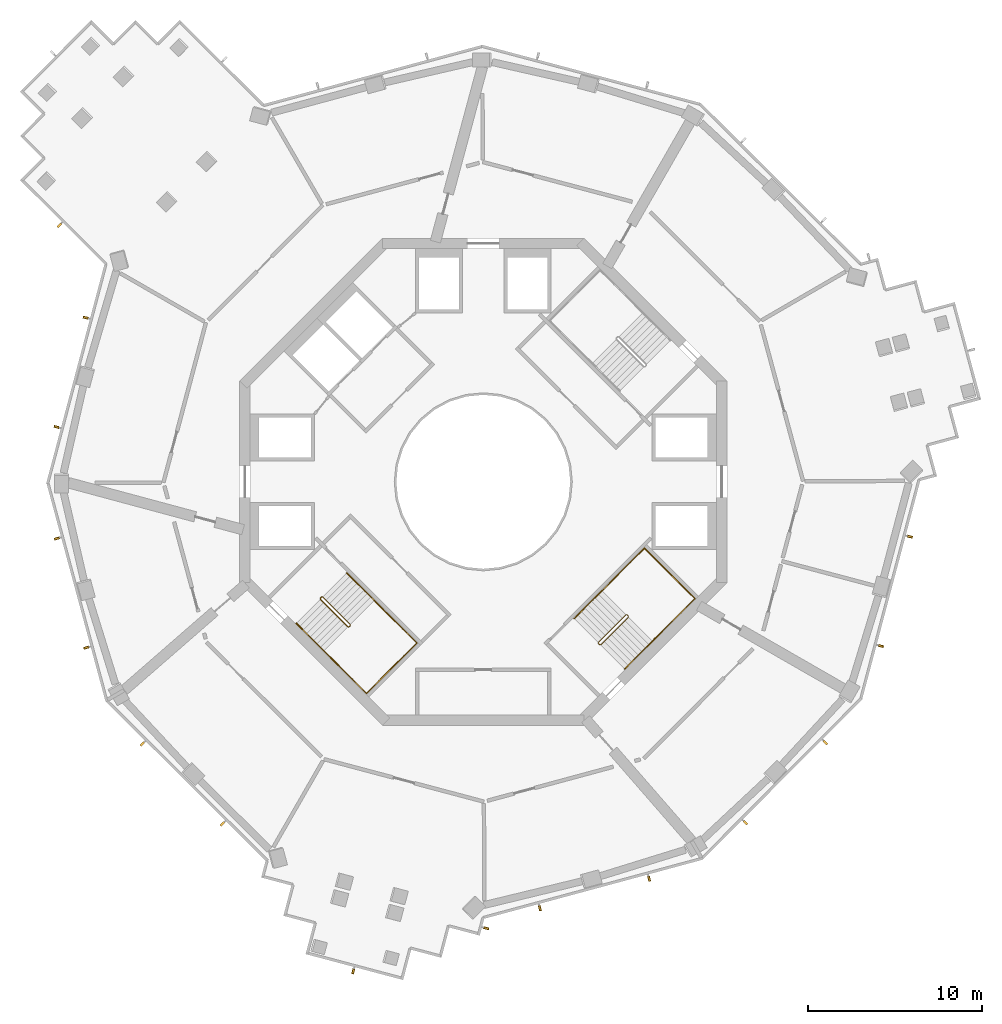
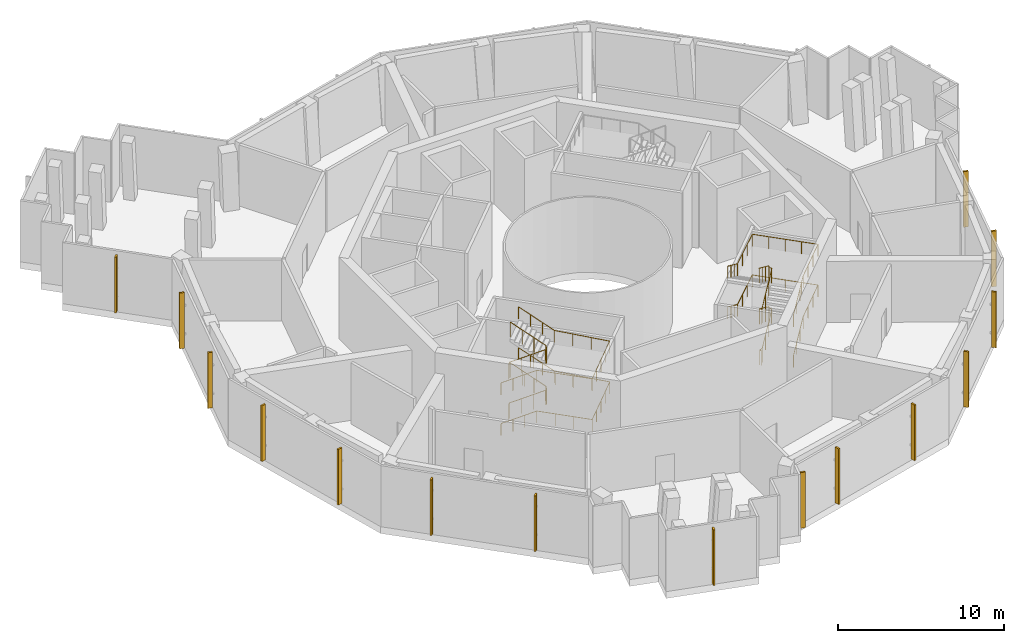
# One storey, part 15 of 16: 15 shading devices, 6 railings.
"""IFC4 building model written with IfcOpenShell, lengths in metres."""

from ifc_helpers import new_model, si_unit, direction, frame, origin, origin_2d, place, context, subcontext, project, spatial, rectangle, circle, extrude, material, material_profile, profile_set, type_object, element, save


model = new_model("IFC4")

# Units and contexts
model_context = context("Model", 3, precision=1e-05, world=origin(), true_north=direction((0.0, 1.0)))
body_context = subcontext(model_context, "Body", "Model", "MODEL_VIEW")
ifc_project = project(units=[si_unit("LENGTHUNIT", "METRE"), si_unit("AREAUNIT", "SQUARE_METRE"), si_unit("VOLUMEUNIT", "CUBIC_METRE"), si_unit("PLANEANGLEUNIT", "RADIAN"), si_unit("MASSUNIT", "GRAM", prefix="KILO")], contexts=[model_context])

# Site, building, storey
site_placement = place(None, origin())
site = spatial("IfcSite", under=ifc_project, at=site_placement, CompositionType="ELEMENT")
building_placement = place(site_placement, origin())
building = spatial("IfcBuilding", under=site, at=building_placement, Name="Verdalira Terraces Hotel", CompositionType="ELEMENT")
storey_placement = place(building_placement, frame((0.0, 0.0, 216.0)))
storey = spatial("IfcBuildingStorey", under=building, at=storey_placement, Name="L53", CompositionType="ELEMENT", Elevation=216.0)

# Railings
ifc_material_1 = material(Name="Stainless steel", Category="steel")
railing_type_1 = type_object("IfcRailingType", Name="Stair guard 1100", PredefinedType="GUARDRAIL", material=ifc_material_1)
railing_1_placement = place(storey_placement, frame((-9.369141, -6.682129, 0.0)))
element("IfcRailing", 1, at=railing_1_placement, inside=storey, type_object=railing_type_1, Name="L53 ST2 stair guard 1", PredefinedType="GUARDRAIL", context=body_context, shape_type="SweptSolid", body=[
    extrude(circle(Radius=0.023926, at=origin_2d()), frame((0.0, 0.0, 1.076172), z_axis=(0.707106781, 0.707106781, 0.0), x_axis=(-0.707106781, 0.707106781, 0.0)), (0.0, 0.0, 1.0), 0.100098),
    extrude(circle(Radius=0.023926, at=origin_2d()), frame((0.070801, 0.070801, 1.076172), z_axis=(-0.307920697, -0.615841394, 0.725206331), x_axis=(0.894427191, -0.447213596, 0.0)), (0.0, 0.0, 1.0), 0.22998),
    extrude(circle(Radius=0.023926, at=origin_2d()), frame((0.0, -0.070801, 1.242676), z_axis=(0.607662647, -0.607568988, 0.511474371), x_axis=(0.707052281, 0.707161277, 0.0)), (0.0, 0.0, 1.0), 2.606689),
    extrude(circle(Radius=0.023926, at=origin_2d()), frame((1.583984, -1.654541, 2.576172), z_axis=(1.0, 0.0, 0.0), x_axis=(0.0, 1.0, 0.0)), (0.0, 0.0, 1.0), 0.070557),
    extrude(circle(Radius=0.023926, at=origin_2d()), frame((1.654541, -1.654541, 2.576172), z_axis=(0.70832698, 0.705884473, 0.0), x_axis=(-0.705884473, 0.70832698, 0.0)), (0.0, 0.0, 1.0), 0.099854),
    extrude(circle(Radius=0.023926, at=origin_2d()), frame((1.725342, -1.583984, 2.576172), z_axis=(0.0, 0.390826706, 0.920464277), x_axis=(-1.0, 0.0, 0.0)), (0.0, 0.0, 1.0), 0.181152),
    extrude(circle(Radius=0.023926, at=origin_2d()), frame((1.725342, -1.513184, 2.742676), z_axis=(-0.607628069, 0.607628069, 0.511445266), x_axis=(-0.707106781, -0.707106781, 0.0)), (0.0, 0.0, 1.0), 2.606934),
    extrude(circle(Radius=0.023926, at=origin_2d()), frame((0.141357, 0.070801, 4.076172), z_axis=(-1.0, 0.0, 0.0), x_axis=(0.0, -1.0, 0.0)), (0.0, 0.0, 1.0), 0.070557),
    extrude(circle(Radius=0.023926, at=origin_2d()), frame((0.070801, 0.070801, 4.076172), z_axis=(-0.707106781, -0.707106781, 0.0), x_axis=(0.707106781, -0.707106781, 0.0)), (0.0, 0.0, 1.0), 0.100098),
    extrude(circle(Radius=0.023926, at=origin_2d()), frame((0.0, 0.0, 4.076172), z_axis=(0.0, -0.390826706, 0.920464277), x_axis=(1.0, 0.0, 0.0)), (0.0, 0.0, 1.0), 0.181152),
    extrude(circle(Radius=0.023926, at=origin_2d()), frame((0.0, -0.070801, 4.242676), z_axis=(0.607662647, -0.607568988, 0.511474371), x_axis=(0.707052281, 0.707161277, 0.0)), (0.0, 0.0, 1.0), 2.606689),
    extrude(circle(Radius=0.023926, at=origin_2d()), frame((1.583984, -1.654541, 5.576172), z_axis=(1.0, 0.0, 0.0), x_axis=(0.0, 1.0, 0.0)), (0.0, 0.0, 1.0), 0.070557),
    extrude(circle(Radius=0.023926, at=origin_2d()), frame((1.654541, -1.654541, 5.576172), z_axis=(0.70832698, 0.705884473, 0.0), x_axis=(-0.705884473, 0.70832698, 0.0)), (0.0, 0.0, 1.0), 0.099854),
    extrude(circle(Radius=0.023926, at=origin_2d()), frame((1.725342, -1.583984, 5.576172), z_axis=(0.0, 0.390826706, 0.920464277), x_axis=(-1.0, 0.0, 0.0)), (0.0, 0.0, 1.0), 0.181152),
    extrude(circle(Radius=0.023926, at=origin_2d()), frame((1.725342, -1.513184, 5.742676), z_axis=(-0.607628069, 0.607628069, 0.511445266), x_axis=(-0.707106781, -0.707106781, 0.0)), (0.0, 0.0, 1.0), 2.606934),
    extrude(circle(Radius=0.020996, at=origin_2d()), origin(), (0.0, 0.0, 1.0), 1.052002),
    extrude(circle(Radius=0.020996, at=origin_2d()), frame((0.070801, 0.070801, 0.0)), (0.0, 0.0, 1.0), 1.052002),
    extrude(circle(Radius=0.020996, at=origin_2d()), frame((0.0, -0.070801, 0.166748)), (0.0, 0.0, 1.0), 1.052002),
    extrude(circle(Radius=0.020996, at=origin_2d()), frame((0.528076, -0.598633, 0.611084)), (0.0, 0.0, 1.0), 1.052002),
    extrude(circle(Radius=0.020996, at=origin_2d()), frame((1.055908, -1.126709, 1.055664)), (0.0, 0.0, 1.0), 1.052002),
    extrude(circle(Radius=0.020996, at=origin_2d()), frame((1.583984, -1.654541, 1.5)), (0.0, 0.0, 1.0), 1.052002),
    extrude(circle(Radius=0.020996, at=origin_2d()), frame((1.654541, -1.654541, 1.5)), (0.0, 0.0, 1.0), 1.052002),
    extrude(circle(Radius=0.020996, at=origin_2d()), frame((1.725342, -1.583984, 1.5)), (0.0, 0.0, 1.0), 1.052002),
    extrude(circle(Radius=0.020996, at=origin_2d()), frame((1.725342, -1.513184, 1.666748)), (0.0, 0.0, 1.0), 1.052002),
    extrude(circle(Radius=0.020996, at=origin_2d()), frame((1.197266, -0.985107, 2.111084)), (0.0, 0.0, 1.0), 1.052002),
    extrude(circle(Radius=0.020996, at=origin_2d()), frame((0.669434, -0.457275, 2.555664)), (0.0, 0.0, 1.0), 1.052002),
    extrude(circle(Radius=0.020996, at=origin_2d()), frame((0.141357, 0.070801, 3.0)), (0.0, 0.0, 1.0), 1.052002),
    extrude(circle(Radius=0.020996, at=origin_2d()), frame((0.070801, 0.070801, 3.0)), (0.0, 0.0, 1.0), 1.052002),
    extrude(circle(Radius=0.020996, at=origin_2d()), frame((0.0, 0.0, 3.0)), (0.0, 0.0, 1.0), 1.052002),
    extrude(circle(Radius=0.020996, at=origin_2d()), frame((0.0, -0.070801, 3.166748)), (0.0, 0.0, 1.0), 1.052002),
    extrude(circle(Radius=0.020996, at=origin_2d()), frame((0.528076, -0.598633, 3.611084)), (0.0, 0.0, 1.0), 1.052002),
    extrude(circle(Radius=0.020996, at=origin_2d()), frame((1.055908, -1.126709, 4.055664)), (0.0, 0.0, 1.0), 1.052002),
    extrude(circle(Radius=0.020996, at=origin_2d()), frame((1.583984, -1.654541, 4.5)), (0.0, 0.0, 1.0), 1.052002),
    extrude(circle(Radius=0.020996, at=origin_2d()), frame((1.654541, -1.654541, 4.5)), (0.0, 0.0, 1.0), 1.052002),
    extrude(circle(Radius=0.020996, at=origin_2d()), frame((1.725342, -1.583984, 4.5)), (0.0, 0.0, 1.0), 1.052002),
    extrude(circle(Radius=0.020996, at=origin_2d()), frame((1.725342, -1.513184, 4.666748)), (0.0, 0.0, 1.0), 1.052002),
    extrude(circle(Radius=0.020996, at=origin_2d()), frame((1.197266, -0.985107, 5.111084)), (0.0, 0.0, 1.0), 1.052002),
    extrude(circle(Radius=0.020996, at=origin_2d()), frame((0.669434, -0.457275, 5.555664)), (0.0, 0.0, 1.0), 1.052002),
    extrude(circle(Radius=0.020996, at=origin_2d()), frame((0.141357, 0.070801, 6.0)), (0.0, 0.0, 1.0), 1.052002),
])
railing_2_placement = place(storey_placement, frame((6.682129, -9.369141, 0.0)))
element("IfcRailing", 2, at=railing_2_placement, inside=storey, type_object=railing_type_1, Name="L53 ST3 stair guard 1", PredefinedType="GUARDRAIL", context=body_context, shape_type="SweptSolid", body=[
    extrude(circle(Radius=0.023926, at=origin_2d()), frame((0.0, 0.0, 1.076172), z_axis=(-0.707106781, 0.707106781, 0.0), x_axis=(-0.707106781, -0.707106781, 0.0)), (0.0, 0.0, 1.0), 0.100098),
    extrude(circle(Radius=0.023926, at=origin_2d()), frame((-0.070801, 0.070801, 1.076172), z_axis=(0.615841394, -0.307920697, 0.725206331), x_axis=(0.447213596, 0.894427191, 0.0)), (0.0, 0.0, 1.0), 0.22998),
    extrude(circle(Radius=0.023926, at=origin_2d()), frame((0.070801, 0.0, 1.242676), z_axis=(0.607568988, 0.607662647, 0.511474371), x_axis=(-0.707161277, 0.707052281, 0.0)), (0.0, 0.0, 1.0), 2.606689),
    extrude(circle(Radius=0.023926, at=origin_2d()), frame((1.654541, 1.583984, 2.576172), z_axis=(0.0, 1.0, 0.0), x_axis=(-1.0, 0.0, 0.0)), (0.0, 0.0, 1.0), 0.070557),
    extrude(circle(Radius=0.023926, at=origin_2d()), frame((1.654541, 1.654541, 2.576172), z_axis=(-0.705884473, 0.70832698, 0.0), x_axis=(-0.70832698, -0.705884473, 0.0)), (0.0, 0.0, 1.0), 0.099854),
    extrude(circle(Radius=0.023926, at=origin_2d()), frame((1.583984, 1.725342, 2.576172), z_axis=(-0.390826706, 0.0, 0.920464277), x_axis=(0.0, -1.0, 0.0)), (0.0, 0.0, 1.0), 0.181152),
    extrude(circle(Radius=0.023926, at=origin_2d()), frame((1.513184, 1.725342, 2.742676), z_axis=(-0.607628069, -0.607628069, 0.511445266), x_axis=(0.707106781, -0.707106781, 0.0)), (0.0, 0.0, 1.0), 2.606934),
    extrude(circle(Radius=0.023926, at=origin_2d()), frame((-0.070801, 0.141357, 4.076172), z_axis=(0.0, -1.0, 0.0), x_axis=(1.0, 0.0, 0.0)), (0.0, 0.0, 1.0), 0.070557),
    extrude(circle(Radius=0.023926, at=origin_2d()), frame((-0.070801, 0.070801, 4.076172), z_axis=(0.707106781, -0.707106781, 0.0), x_axis=(0.707106781, 0.707106781, 0.0)), (0.0, 0.0, 1.0), 0.100098),
    extrude(circle(Radius=0.023926, at=origin_2d()), frame((0.0, 0.0, 4.076172), z_axis=(0.390826706, 0.0, 0.920464277), x_axis=(0.0, 1.0, 0.0)), (0.0, 0.0, 1.0), 0.181152),
    extrude(circle(Radius=0.023926, at=origin_2d()), frame((0.070801, 0.0, 4.242676), z_axis=(0.607568988, 0.607662647, 0.511474371), x_axis=(-0.707161277, 0.707052281, 0.0)), (0.0, 0.0, 1.0), 2.606689),
    extrude(circle(Radius=0.023926, at=origin_2d()), frame((1.654541, 1.583984, 5.576172), z_axis=(0.0, 1.0, 0.0), x_axis=(-1.0, 0.0, 0.0)), (0.0, 0.0, 1.0), 0.070557),
    extrude(circle(Radius=0.023926, at=origin_2d()), frame((1.654541, 1.654541, 5.576172), z_axis=(-0.705884473, 0.70832698, 0.0), x_axis=(-0.70832698, -0.705884473, 0.0)), (0.0, 0.0, 1.0), 0.099854),
    extrude(circle(Radius=0.023926, at=origin_2d()), frame((1.583984, 1.725342, 5.576172), z_axis=(-0.390826706, 0.0, 0.920464277), x_axis=(0.0, -1.0, 0.0)), (0.0, 0.0, 1.0), 0.181152),
    extrude(circle(Radius=0.023926, at=origin_2d()), frame((1.513184, 1.725342, 5.742676), z_axis=(-0.607628069, -0.607628069, 0.511445266), x_axis=(0.707106781, -0.707106781, 0.0)), (0.0, 0.0, 1.0), 2.606934),
    extrude(circle(Radius=0.020996, at=origin_2d()), origin(), (0.0, 0.0, 1.0), 1.052002),
    extrude(circle(Radius=0.020996, at=origin_2d()), frame((-0.070801, 0.070801, 0.0)), (0.0, 0.0, 1.0), 1.052002),
    extrude(circle(Radius=0.020996, at=origin_2d()), frame((0.070801, 0.0, 0.166748)), (0.0, 0.0, 1.0), 1.052002),
    extrude(circle(Radius=0.020996, at=origin_2d()), frame((0.598633, 0.528076, 0.611084)), (0.0, 0.0, 1.0), 1.052002),
    extrude(circle(Radius=0.020996, at=origin_2d()), frame((1.126709, 1.055908, 1.055664)), (0.0, 0.0, 1.0), 1.052002),
    extrude(circle(Radius=0.020996, at=origin_2d()), frame((1.654541, 1.583984, 1.5)), (0.0, 0.0, 1.0), 1.052002),
    extrude(circle(Radius=0.020996, at=origin_2d()), frame((1.654541, 1.654541, 1.5)), (0.0, 0.0, 1.0), 1.052002),
    extrude(circle(Radius=0.020996, at=origin_2d()), frame((1.583984, 1.725342, 1.5)), (0.0, 0.0, 1.0), 1.052002),
    extrude(circle(Radius=0.020996, at=origin_2d()), frame((1.513184, 1.725342, 1.666748)), (0.0, 0.0, 1.0), 1.052002),
    extrude(circle(Radius=0.020996, at=origin_2d()), frame((0.985107, 1.197266, 2.111084)), (0.0, 0.0, 1.0), 1.052002),
    extrude(circle(Radius=0.020996, at=origin_2d()), frame((0.457275, 0.669434, 2.555664)), (0.0, 0.0, 1.0), 1.052002),
    extrude(circle(Radius=0.020996, at=origin_2d()), frame((-0.070801, 0.141357, 3.0)), (0.0, 0.0, 1.0), 1.052002),
    extrude(circle(Radius=0.020996, at=origin_2d()), frame((-0.070801, 0.070801, 3.0)), (0.0, 0.0, 1.0), 1.052002),
    extrude(circle(Radius=0.020996, at=origin_2d()), frame((0.0, 0.0, 3.0)), (0.0, 0.0, 1.0), 1.052002),
    extrude(circle(Radius=0.020996, at=origin_2d()), frame((0.070801, 0.0, 3.166748)), (0.0, 0.0, 1.0), 1.052002),
    extrude(circle(Radius=0.020996, at=origin_2d()), frame((0.598633, 0.528076, 3.611084)), (0.0, 0.0, 1.0), 1.052002),
    extrude(circle(Radius=0.020996, at=origin_2d()), frame((1.126709, 1.055908, 4.055664)), (0.0, 0.0, 1.0), 1.052002),
    extrude(circle(Radius=0.020996, at=origin_2d()), frame((1.654541, 1.583984, 4.5)), (0.0, 0.0, 1.0), 1.052002),
    extrude(circle(Radius=0.020996, at=origin_2d()), frame((1.654541, 1.654541, 4.5)), (0.0, 0.0, 1.0), 1.052002),
    extrude(circle(Radius=0.020996, at=origin_2d()), frame((1.583984, 1.725342, 4.5)), (0.0, 0.0, 1.0), 1.052002),
    extrude(circle(Radius=0.020996, at=origin_2d()), frame((1.513184, 1.725342, 4.666748)), (0.0, 0.0, 1.0), 1.052002),
    extrude(circle(Radius=0.020996, at=origin_2d()), frame((0.985107, 1.197266, 5.111084)), (0.0, 0.0, 1.0), 1.052002),
    extrude(circle(Radius=0.020996, at=origin_2d()), frame((0.457275, 0.669434, 5.555664)), (0.0, 0.0, 1.0), 1.052002),
    extrude(circle(Radius=0.020996, at=origin_2d()), frame((-0.070801, 0.141357, 6.0)), (0.0, 0.0, 1.0), 1.052002),
])
ifc_material_2 = material(Name="Stainless steel", Category="steel")
railing_type_2 = type_object("IfcRailingType", Name="Stair handrail 900", PredefinedType="HANDRAIL", material=ifc_material_2)
railing_3_placement = place(storey_placement, frame((-10.748047, -8.131836, 0.166748)))
element("IfcRailing", 3, at=railing_3_placement, inside=storey, type_object=railing_type_2, Name="L53 ST2 stair handrail 1", PredefinedType="HANDRAIL", context=body_context, shape_type="SweptSolid", body=[
    extrude(circle(Radius=0.023926, at=origin_2d()), frame((0.0, 0.0, 0.875977), z_axis=(0.607662647, -0.607568988, 0.511474371), x_axis=(0.707052281, 0.707161277, 0.0)), (0.0, 0.0, 1.0), 2.606689),
    extrude(circle(Radius=0.023926, at=origin_2d()), frame((1.583984, -1.58374, 2.208984), z_axis=(0.707071501, -0.70714206, 0.0), x_axis=(0.70714206, 0.707071501, 0.0)), (0.0, 0.0, 1.0), 3.460205),
    extrude(circle(Radius=0.023926, at=origin_2d()), frame((4.030518, -4.030518, 2.208984), z_axis=(0.707106781, 0.707106781, 0.0), x_axis=(-0.707106781, 0.707106781, 0.0)), (0.0, 0.0, 1.0), 4.100098),
    extrude(circle(Radius=0.023926, at=origin_2d()), frame((6.929688, -1.131348, 2.208984), z_axis=(-0.70625186, 0.706322337, 0.048135917), x_axis=(-0.70714206, -0.707071501, 0.0)), (0.0, 0.0, 1.0), 3.464111),
    extrude(circle(Radius=0.023926, at=origin_2d()), frame((4.483154, 1.31543, 2.375977), z_axis=(-0.607662647, 0.607568988, 0.511474371), x_axis=(-0.707052281, -0.707161277, 0.0)), (0.0, 0.0, 1.0), 2.606689),
    extrude(circle(Radius=0.020996, at=origin_2d()), origin(), (0.0, 0.0, 1.0), 0.851807),
    extrude(circle(Radius=0.020996, at=origin_2d()), frame((0.528076, -0.527832, 0.444336)), (0.0, 0.0, 1.0), 0.851807),
    extrude(circle(Radius=0.020996, at=origin_2d()), frame((1.055908, -1.055908, 0.888916)), (0.0, 0.0, 1.0), 0.851807),
    extrude(circle(Radius=0.020996, at=origin_2d()), frame((1.583984, -1.58374, 1.333252)), (0.0, 0.0, 1.0), 0.851807),
    extrude(circle(Radius=0.020996, at=origin_2d()), frame((2.399414, -2.399414, 1.333252)), (0.0, 0.0, 1.0), 0.851807),
    extrude(circle(Radius=0.020996, at=origin_2d()), frame((3.215088, -3.214844, 1.333252)), (0.0, 0.0, 1.0), 0.851807),
    extrude(circle(Radius=0.020996, at=origin_2d()), frame((4.030518, -4.030518, 1.333252)), (0.0, 0.0, 1.0), 0.851807),
    extrude(circle(Radius=0.020996, at=origin_2d()), frame((4.755371, -3.305664, 1.333252)), (0.0, 0.0, 1.0), 0.851807),
    extrude(circle(Radius=0.020996, at=origin_2d()), frame((5.47998, -2.581055, 1.333252)), (0.0, 0.0, 1.0), 0.851807),
    extrude(circle(Radius=0.020996, at=origin_2d()), frame((6.204834, -1.856201, 1.333252)), (0.0, 0.0, 1.0), 0.851807),
    extrude(circle(Radius=0.020996, at=origin_2d()), frame((6.929688, -1.131348, 1.333252)), (0.0, 0.0, 1.0), 0.851807),
    extrude(circle(Radius=0.020996, at=origin_2d()), frame((6.114258, -0.315674, 1.388916)), (0.0, 0.0, 1.0), 0.851807),
    extrude(circle(Radius=0.020996, at=origin_2d()), frame((5.298584, 0.499756, 1.444336)), (0.0, 0.0, 1.0), 0.851807),
    extrude(circle(Radius=0.020996, at=origin_2d()), frame((4.483154, 1.31543, 1.5)), (0.0, 0.0, 1.0), 0.851807),
    extrude(circle(Radius=0.020996, at=origin_2d()), frame((3.955078, 1.843262, 1.944336)), (0.0, 0.0, 1.0), 0.851807),
    extrude(circle(Radius=0.020996, at=origin_2d()), frame((3.427246, 2.371338, 2.388916)), (0.0, 0.0, 1.0), 0.851807),
    extrude(circle(Radius=0.020996, at=origin_2d()), frame((2.89917, 2.89917, 2.833252)), (0.0, 0.0, 1.0), 0.851807),
])
railing_4_placement = place(storey_placement, frame((-10.748047, -8.131836, 3.166748)))
element("IfcRailing", 4, at=railing_4_placement, inside=storey, type_object=railing_type_2, Name="L53 ST2 stair handrail 2", PredefinedType="HANDRAIL", context=body_context, shape_type="SweptSolid", body=[
    extrude(circle(Radius=0.023926, at=origin_2d()), frame((0.0, 0.0, 0.875977), z_axis=(0.607662647, -0.607568988, 0.511474371), x_axis=(0.707052281, 0.707161277, 0.0)), (0.0, 0.0, 1.0), 2.606689),
    extrude(circle(Radius=0.023926, at=origin_2d()), frame((1.583984, -1.58374, 2.208984), z_axis=(0.707071501, -0.70714206, 0.0), x_axis=(0.70714206, 0.707071501, 0.0)), (0.0, 0.0, 1.0), 3.460205),
    extrude(circle(Radius=0.023926, at=origin_2d()), frame((4.030518, -4.030518, 2.208984), z_axis=(0.707106781, 0.707106781, 0.0), x_axis=(-0.707106781, 0.707106781, 0.0)), (0.0, 0.0, 1.0), 4.100098),
    extrude(circle(Radius=0.023926, at=origin_2d()), frame((6.929688, -1.131348, 2.208984), z_axis=(-0.70625186, 0.706322337, 0.048135917), x_axis=(-0.70714206, -0.707071501, 0.0)), (0.0, 0.0, 1.0), 3.464111),
    extrude(circle(Radius=0.023926, at=origin_2d()), frame((4.483154, 1.31543, 2.375977), z_axis=(-0.607662647, 0.607568988, 0.511474371), x_axis=(-0.707052281, -0.707161277, 0.0)), (0.0, 0.0, 1.0), 2.606689),
    extrude(circle(Radius=0.020996, at=origin_2d()), origin(), (0.0, 0.0, 1.0), 0.851807),
    extrude(circle(Radius=0.020996, at=origin_2d()), frame((0.528076, -0.527832, 0.444336)), (0.0, 0.0, 1.0), 0.851807),
    extrude(circle(Radius=0.020996, at=origin_2d()), frame((1.055908, -1.055908, 0.888916)), (0.0, 0.0, 1.0), 0.851807),
    extrude(circle(Radius=0.020996, at=origin_2d()), frame((1.583984, -1.58374, 1.333252)), (0.0, 0.0, 1.0), 0.851807),
    extrude(circle(Radius=0.020996, at=origin_2d()), frame((2.399414, -2.399414, 1.333252)), (0.0, 0.0, 1.0), 0.851807),
    extrude(circle(Radius=0.020996, at=origin_2d()), frame((3.215088, -3.214844, 1.333252)), (0.0, 0.0, 1.0), 0.851807),
    extrude(circle(Radius=0.020996, at=origin_2d()), frame((4.030518, -4.030518, 1.333252)), (0.0, 0.0, 1.0), 0.851807),
    extrude(circle(Radius=0.020996, at=origin_2d()), frame((4.755371, -3.305664, 1.333252)), (0.0, 0.0, 1.0), 0.851807),
    extrude(circle(Radius=0.020996, at=origin_2d()), frame((5.47998, -2.581055, 1.333252)), (0.0, 0.0, 1.0), 0.851807),
    extrude(circle(Radius=0.020996, at=origin_2d()), frame((6.204834, -1.856201, 1.333252)), (0.0, 0.0, 1.0), 0.851807),
    extrude(circle(Radius=0.020996, at=origin_2d()), frame((6.929688, -1.131348, 1.333252)), (0.0, 0.0, 1.0), 0.851807),
    extrude(circle(Radius=0.020996, at=origin_2d()), frame((6.114258, -0.315674, 1.388916)), (0.0, 0.0, 1.0), 0.851807),
    extrude(circle(Radius=0.020996, at=origin_2d()), frame((5.298584, 0.499756, 1.444336)), (0.0, 0.0, 1.0), 0.851807),
    extrude(circle(Radius=0.020996, at=origin_2d()), frame((4.483154, 1.31543, 1.5)), (0.0, 0.0, 1.0), 0.851807),
    extrude(circle(Radius=0.020996, at=origin_2d()), frame((3.955078, 1.843262, 1.944336)), (0.0, 0.0, 1.0), 0.851807),
    extrude(circle(Radius=0.020996, at=origin_2d()), frame((3.427246, 2.371338, 2.388916)), (0.0, 0.0, 1.0), 0.851807),
    extrude(circle(Radius=0.020996, at=origin_2d()), frame((2.89917, 2.89917, 2.833252)), (0.0, 0.0, 1.0), 0.851807),
])
railing_5_placement = place(storey_placement, frame((8.131836, -10.748047, 0.166748)))
element("IfcRailing", 5, at=railing_5_placement, inside=storey, type_object=railing_type_2, Name="L53 ST3 stair handrail 1", PredefinedType="HANDRAIL", context=body_context, shape_type="SweptSolid", body=[
    extrude(circle(Radius=0.023926, at=origin_2d()), frame((0.0, 0.0, 0.875977), z_axis=(0.607568988, 0.607662647, 0.511474371), x_axis=(-0.707161277, 0.707052281, 0.0)), (0.0, 0.0, 1.0), 2.606689),
    extrude(circle(Radius=0.023926, at=origin_2d()), frame((1.58374, 1.583984, 2.208984), z_axis=(0.70714206, 0.707071501, 0.0), x_axis=(-0.707071501, 0.70714206, 0.0)), (0.0, 0.0, 1.0), 3.460205),
    extrude(circle(Radius=0.023926, at=origin_2d()), frame((4.030518, 4.030518, 2.208984), z_axis=(-0.707106781, 0.707106781, 0.0), x_axis=(-0.707106781, -0.707106781, 0.0)), (0.0, 0.0, 1.0), 4.100098),
    extrude(circle(Radius=0.023926, at=origin_2d()), frame((1.131348, 6.929688, 2.208984), z_axis=(-0.706322337, -0.70625186, 0.048135917), x_axis=(0.707071501, -0.70714206, 0.0)), (0.0, 0.0, 1.0), 3.464111),
    extrude(circle(Radius=0.023926, at=origin_2d()), frame((-1.31543, 4.483154, 2.375977), z_axis=(-0.607568988, -0.607662647, 0.511474371), x_axis=(0.707161277, -0.707052281, 0.0)), (0.0, 0.0, 1.0), 2.606689),
    extrude(circle(Radius=0.020996, at=origin_2d()), origin(), (0.0, 0.0, 1.0), 0.851807),
    extrude(circle(Radius=0.020996, at=origin_2d()), frame((0.527832, 0.528076, 0.444336)), (0.0, 0.0, 1.0), 0.851807),
    extrude(circle(Radius=0.020996, at=origin_2d()), frame((1.055908, 1.055908, 0.888916)), (0.0, 0.0, 1.0), 0.851807),
    extrude(circle(Radius=0.020996, at=origin_2d()), frame((1.58374, 1.583984, 1.333252)), (0.0, 0.0, 1.0), 0.851807),
    extrude(circle(Radius=0.020996, at=origin_2d()), frame((2.399414, 2.399414, 1.333252)), (0.0, 0.0, 1.0), 0.851807),
    extrude(circle(Radius=0.020996, at=origin_2d()), frame((3.214844, 3.215088, 1.333252)), (0.0, 0.0, 1.0), 0.851807),
    extrude(circle(Radius=0.020996, at=origin_2d()), frame((4.030518, 4.030518, 1.333252)), (0.0, 0.0, 1.0), 0.851807),
    extrude(circle(Radius=0.020996, at=origin_2d()), frame((3.305664, 4.755371, 1.333252)), (0.0, 0.0, 1.0), 0.851807),
    extrude(circle(Radius=0.020996, at=origin_2d()), frame((2.581055, 5.47998, 1.333252)), (0.0, 0.0, 1.0), 0.851807),
    extrude(circle(Radius=0.020996, at=origin_2d()), frame((1.856201, 6.204834, 1.333252)), (0.0, 0.0, 1.0), 0.851807),
    extrude(circle(Radius=0.020996, at=origin_2d()), frame((1.131348, 6.929688, 1.333252)), (0.0, 0.0, 1.0), 0.851807),
    extrude(circle(Radius=0.020996, at=origin_2d()), frame((0.315674, 6.114258, 1.388916)), (0.0, 0.0, 1.0), 0.851807),
    extrude(circle(Radius=0.020996, at=origin_2d()), frame((-0.499756, 5.298584, 1.444336)), (0.0, 0.0, 1.0), 0.851807),
    extrude(circle(Radius=0.020996, at=origin_2d()), frame((-1.31543, 4.483154, 1.5)), (0.0, 0.0, 1.0), 0.851807),
    extrude(circle(Radius=0.020996, at=origin_2d()), frame((-1.843262, 3.955078, 1.944336)), (0.0, 0.0, 1.0), 0.851807),
    extrude(circle(Radius=0.020996, at=origin_2d()), frame((-2.371338, 3.427246, 2.388916)), (0.0, 0.0, 1.0), 0.851807),
    extrude(circle(Radius=0.020996, at=origin_2d()), frame((-2.89917, 2.89917, 2.833252)), (0.0, 0.0, 1.0), 0.851807),
])
railing_6_placement = place(storey_placement, frame((8.131836, -10.748047, 3.166748)))
element("IfcRailing", 6, at=railing_6_placement, inside=storey, type_object=railing_type_2, Name="L53 ST3 stair handrail 2", PredefinedType="HANDRAIL", context=body_context, shape_type="SweptSolid", body=[
    extrude(circle(Radius=0.023926, at=origin_2d()), frame((0.0, 0.0, 0.875977), z_axis=(0.607568988, 0.607662647, 0.511474371), x_axis=(-0.707161277, 0.707052281, 0.0)), (0.0, 0.0, 1.0), 2.606689),
    extrude(circle(Radius=0.023926, at=origin_2d()), frame((1.58374, 1.583984, 2.208984), z_axis=(0.70714206, 0.707071501, 0.0), x_axis=(-0.707071501, 0.70714206, 0.0)), (0.0, 0.0, 1.0), 3.460205),
    extrude(circle(Radius=0.023926, at=origin_2d()), frame((4.030518, 4.030518, 2.208984), z_axis=(-0.707106781, 0.707106781, 0.0), x_axis=(-0.707106781, -0.707106781, 0.0)), (0.0, 0.0, 1.0), 4.100098),
    extrude(circle(Radius=0.023926, at=origin_2d()), frame((1.131348, 6.929688, 2.208984), z_axis=(-0.706322337, -0.70625186, 0.048135917), x_axis=(0.707071501, -0.70714206, 0.0)), (0.0, 0.0, 1.0), 3.464111),
    extrude(circle(Radius=0.023926, at=origin_2d()), frame((-1.31543, 4.483154, 2.375977), z_axis=(-0.607568988, -0.607662647, 0.511474371), x_axis=(0.707161277, -0.707052281, 0.0)), (0.0, 0.0, 1.0), 2.606689),
    extrude(circle(Radius=0.020996, at=origin_2d()), origin(), (0.0, 0.0, 1.0), 0.851807),
    extrude(circle(Radius=0.020996, at=origin_2d()), frame((0.527832, 0.528076, 0.444336)), (0.0, 0.0, 1.0), 0.851807),
    extrude(circle(Radius=0.020996, at=origin_2d()), frame((1.055908, 1.055908, 0.888916)), (0.0, 0.0, 1.0), 0.851807),
    extrude(circle(Radius=0.020996, at=origin_2d()), frame((1.58374, 1.583984, 1.333252)), (0.0, 0.0, 1.0), 0.851807),
    extrude(circle(Radius=0.020996, at=origin_2d()), frame((2.399414, 2.399414, 1.333252)), (0.0, 0.0, 1.0), 0.851807),
    extrude(circle(Radius=0.020996, at=origin_2d()), frame((3.214844, 3.215088, 1.333252)), (0.0, 0.0, 1.0), 0.851807),
    extrude(circle(Radius=0.020996, at=origin_2d()), frame((4.030518, 4.030518, 1.333252)), (0.0, 0.0, 1.0), 0.851807),
    extrude(circle(Radius=0.020996, at=origin_2d()), frame((3.305664, 4.755371, 1.333252)), (0.0, 0.0, 1.0), 0.851807),
    extrude(circle(Radius=0.020996, at=origin_2d()), frame((2.581055, 5.47998, 1.333252)), (0.0, 0.0, 1.0), 0.851807),
    extrude(circle(Radius=0.020996, at=origin_2d()), frame((1.856201, 6.204834, 1.333252)), (0.0, 0.0, 1.0), 0.851807),
    extrude(circle(Radius=0.020996, at=origin_2d()), frame((1.131348, 6.929688, 1.333252)), (0.0, 0.0, 1.0), 0.851807),
    extrude(circle(Radius=0.020996, at=origin_2d()), frame((0.315674, 6.114258, 1.388916)), (0.0, 0.0, 1.0), 0.851807),
    extrude(circle(Radius=0.020996, at=origin_2d()), frame((-0.499756, 5.298584, 1.444336)), (0.0, 0.0, 1.0), 0.851807),
    extrude(circle(Radius=0.020996, at=origin_2d()), frame((-1.31543, 4.483154, 1.5)), (0.0, 0.0, 1.0), 0.851807),
    extrude(circle(Radius=0.020996, at=origin_2d()), frame((-1.843262, 3.955078, 1.944336)), (0.0, 0.0, 1.0), 0.851807),
    extrude(circle(Radius=0.020996, at=origin_2d()), frame((-2.371338, 3.427246, 2.388916)), (0.0, 0.0, 1.0), 0.851807),
    extrude(circle(Radius=0.020996, at=origin_2d()), frame((-2.89917, 2.89917, 2.833252)), (0.0, 0.0, 1.0), 0.851807),
])

# Shading devices
ifc_material_3 = material(Name="Terracotta frame", Category="masonry")
ifc_material_profile = material_profile(ifc_material_3, rectangle(XDim=0.120117, YDim=0.300049, at=origin_2d()), Name="FIN 120x300")
ifc_profile_set = profile_set([ifc_material_profile], Name="Terracotta frame")
shading_device_type = type_object("IfcShadingDeviceType", Name="Terracotta fin 120x300", PredefinedType="USERDEFINED", material=ifc_profile_set)
for number, where, z_axis, x_axis, name in (
    (7, (-24.374023, 14.746338, 0.199951), (0.0, 0.0, 1.0), (0.70858619, -0.70562427, 0.0), "Terracotta fin"),
    (8, (-22.851807, 9.43457, 0.199951), (0.0, 0.0, 1.0), (-0.256795449, -0.966465777, 0.0), "Terracotta fin"),
    (9, (-24.520996, 3.152588, 0.199951), (0.0, 0.0, 1.0), (-0.256795449, -0.966465777, 0.0), "Terracotta fin"),
    (10, (-24.507568, -3.255371, 0.199951), (0.0, 0.0, 1.0), (0.260841506, -0.965381639, 0.0), "Terracotta fin"),
    (11, (-22.812256, -9.530273, 0.199951), (0.0, 0.0, 1.0), (0.260841506, -0.965381639, 0.0), "Terracotta fin"),
    (12, (-19.59668, -15.072998, 0.199951), (0.0, 0.0, 1.0), (0.70858619, -0.70562427, 0.0), "Terracotta fin"),
    (13, (-14.990723, -19.659424, 0.199951), (0.0, 0.0, 1.0), (0.70858619, -0.70562427, 0.0), "Terracotta fin"),
    (14, (-7.474854, -28.132324, 0.199951), (0.0, 0.0, 1.0), (0.966465777, -0.256795449, 0.0), "Terracotta fin"),
    (15, (0.165771, -25.661377, 0.199951), (0.0, 0.0, 1.0), (0.256795449, 0.966465777, 0.0), "Terracotta fin"),
    (16, (3.255371, -24.507568, 0.199951), (0.0, 0.0, 1.0), (0.965381639, 0.260841506, 0.0), "Terracotta fin"),
    (17, (9.530273, -22.812256, 0.199951), (0.0, 0.0, 1.0), (0.965381639, 0.260841506, 0.0), "Terracotta fin"),
    (18, (15.072998, -19.59668, 0.199951), (0.0, 0.0, 1.0), (0.70562427, 0.70858619, 0.0), "Terracotta fin"),
    (19, (19.659424, -14.990723, 0.199951), (0.0, 0.0, 1.0), (0.70562427, 0.70858619, 0.0), "Terracotta fin"),
    (20, (22.851807, -9.43457, 0.199951), (0.0, 0.0, 1.0), (0.256795449, 0.966465777, 0.0), "Terracotta fin"),
    (21, (24.520996, -3.152588, 0.199951), (0.0, 0.0, 1.0), (0.256795449, 0.966465777, 0.0), "Terracotta fin"),
):
    element("IfcShadingDevice", number, at=place(storey_placement, frame(where, z_axis=z_axis, x_axis=x_axis)), inside=storey, type_object=shading_device_type, Name=name, ObjectType="FIN", PredefinedType="USERDEFINED", context=body_context, shape_type="SweptSolid", body=[
        extrude(rectangle(XDim=0.120117, YDim=0.300049, at=origin_2d()), origin(), (0.0, 0.0, 1.0), 4.100098),
    ])

save(model, "model.ifc")
